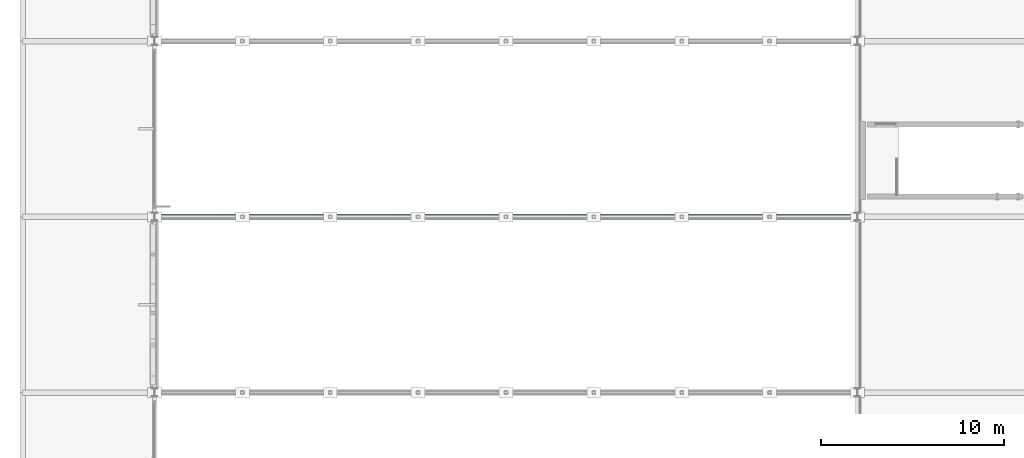
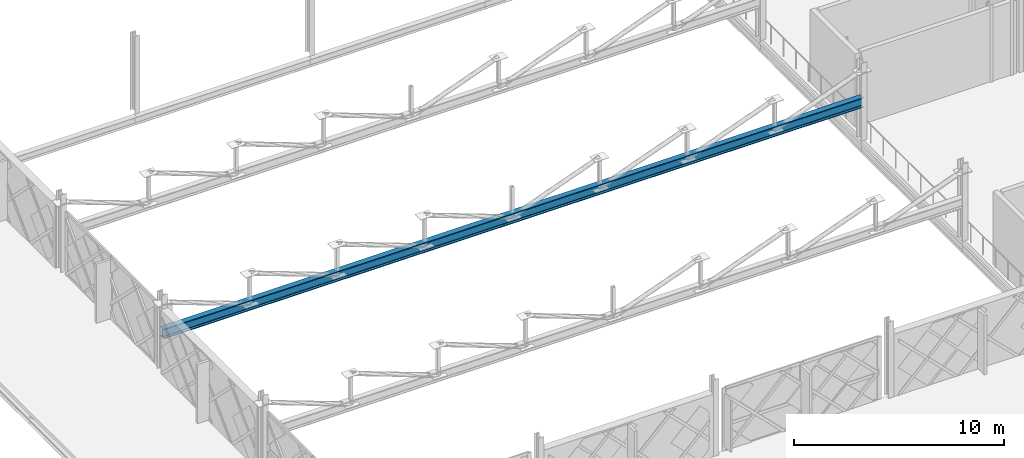
# One storey, part 27 of 101: 1 member.
"""IFC4 building model written with IfcOpenShell, lengths in metres."""

from ifc_helpers import new_model, si_unit, direction, frame, origin, origin_2d, place, context, subcontext, project, spatial, i_section, extrude, material, material_profile, profile_set, type_object, element, save


model = new_model("IFC4")

# Units and contexts
model_context = context("Model", 3, precision=1e-05, world=origin(), true_north=direction((0.0, 1.0)))
body_context = subcontext(model_context, "Body", "Model", "MODEL_VIEW")
ifc_project = project(units=[si_unit("LENGTHUNIT", "METRE"), si_unit("AREAUNIT", "SQUARE_METRE"), si_unit("VOLUMEUNIT", "CUBIC_METRE"), si_unit("PLANEANGLEUNIT", "RADIAN"), si_unit("MASSUNIT", "GRAM", prefix="KILO")], contexts=[model_context])

# Site, building, storey
site_placement = place(None, origin())
site = spatial("IfcSite", under=ifc_project, at=site_placement, CompositionType="ELEMENT")
building_placement = place(site_placement, origin())
building = spatial("IfcBuilding", under=site, at=building_placement, Name="Zevrakil Square Congress Hotel", CompositionType="ELEMENT")
storey_placement = place(building_placement, frame((0.0, 0.0, 5.39990234375)))
storey = spatial("IfcBuildingStorey", under=building, at=storey_placement, Name="L02", CompositionType="ELEMENT", Elevation=5.39990234375)

# Member
ifc_material = material(Name="Steel S355", Category="steel")
ifc_material_profile = material_profile(ifc_material, i_section(OverallWidth=0.305908203125, OverallDepth=0.572021484375, WebThickness=0.02099609375, FlangeThickness=0.0400390625, FilletRadius=0.027099609375, at=origin_2d()), Name="HEM 550")
ifc_profile_set = profile_set([ifc_material_profile], Name="Steel S355")
member_type = type_object("IfcMemberType", Name="MEM-CHORD-HEM550", PredefinedType="CHORD", material=ifc_profile_set)
member_placement = place(storey_placement, frame((7.199951171875, 26.39990234375, 2.150146484375), z_axis=(1.0, 0.0, 0.0), x_axis=(0.0, 1.0, 0.0)))
element("IfcMember", 1, at=member_placement, inside=storey, type_object=member_type, Name="Ballroom Pratt truss bottom chord BBC-02", PredefinedType="CHORD", context=body_context, shape_type="SweptSolid", body=[
    extrude(i_section(OverallWidth=0.305908203125, OverallDepth=0.572021484375, WebThickness=0.02099609375, FlangeThickness=0.0400390625, FilletRadius=0.027099609375, at=origin_2d()), origin(), (0.0, 0.0, 1.0), 38.400146484375),
])

save(model, "model.ifc")
